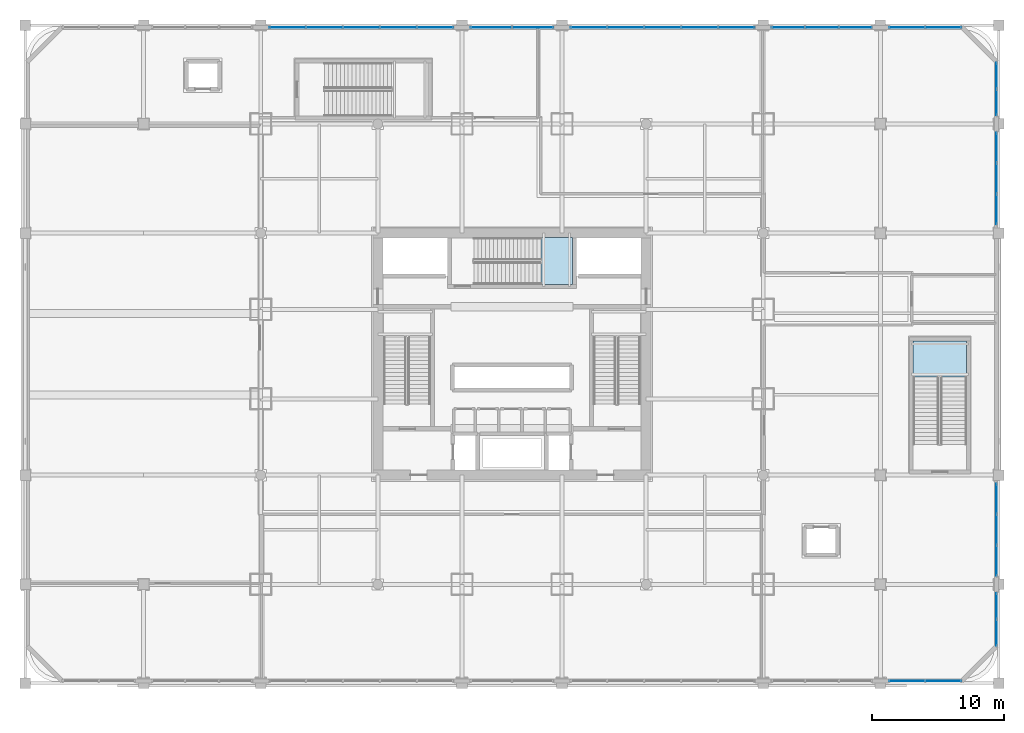
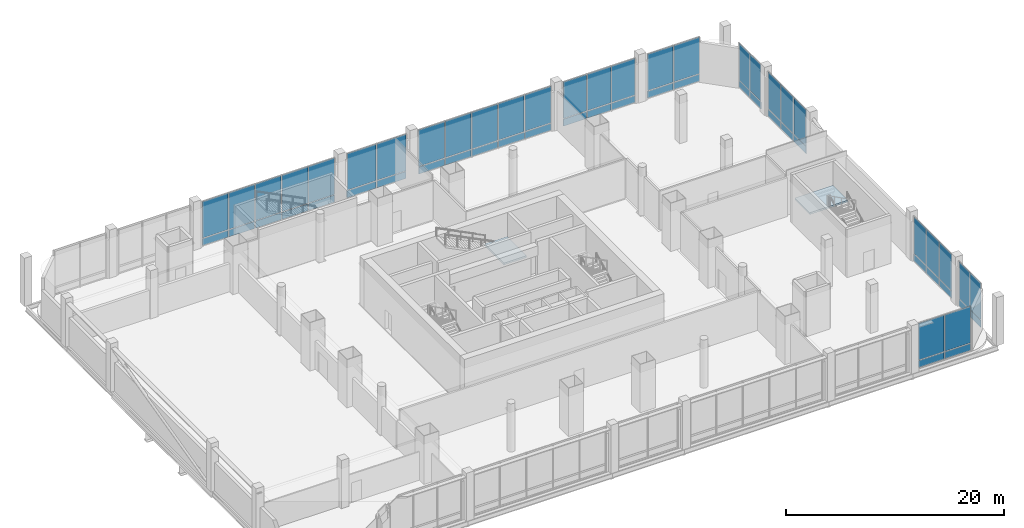
# One storey, part 20 of 35: 58 plates, 2 slabs, 12 elements without a shape of their own.
"""IFC4 building model written with IfcOpenShell, lengths in metres."""

import ifcopenshell
import ifcopenshell.guid

model = None  # the IFC model being written
_history = None  # IfcOwnerHistory: only IFC2X3 demands one
_inside = {}  # id of a spatial element -> (the spatial element, [elements in it])
_under = {}  # id of a project, library or spatial element -> (it, [spatial elements below it])
_declared = {}  # id of a project -> (the project, [libraries it declares])
_typed = {}  # id of a type object -> (the type object, [elements of that type])
_made_of = {}  # id of a material, layer set ... -> (it, [elements and type objects made of it])


def new_model(schema):
    """Start an empty IFC model of exactly this schema.

    Asked for "IFC4X3", IfcOpenShell would pick the latest addendum, in which some entities
    have other attributes; the version numbers below select the first issue.
    IFC2X3 requires an IfcOwnerHistory on every rooted entity: one is made here for all.
    """
    global model, _history
    if schema == "IFC4X3":
        model = ifcopenshell.file(schema_version=(4, 3, 0, 0))
    else:
        model = ifcopenshell.file(schema=schema)
    _inside.clear()
    _under.clear()
    _declared.clear()
    _typed.clear()
    _made_of.clear()
    _history = None
    if model.schema == "IFC2X3":
        org = make("IfcOrganization", Name="unknown")
        user = make(
            "IfcPersonAndOrganization",
            ThePerson=make("IfcPerson", FamilyName="unknown"),
            TheOrganization=org,
        )
        app = make(
            "IfcApplication",
            ApplicationDeveloper=org,
            Version="unknown",
            ApplicationFullName="unknown",
            ApplicationIdentifier="unknown",
        )
        _history = make(
            "IfcOwnerHistory",
            OwningUser=user,
            OwningApplication=app,
            ChangeAction="ADDED",
            CreationDate=0,
        )
    return model


def make(cls, **values):
    """One entity of the class cls with the attributes given. An attribute that is None is left unset."""
    return model.create_entity(
        cls, **{name: value for name, value in values.items() if value is not None}
    )


def rooted(cls, **values):
    """An entity with a GlobalId (a new one), such as an element, a storey or a relation."""
    return make(cls, GlobalId=ifcopenshell.guid.new(), OwnerHistory=_history, **values)


def si_unit(unit_type, name, prefix=None):
    """IfcSIUnit, for example si_unit("LENGTHUNIT", "METRE", prefix="MILLI")."""
    return make("IfcSIUnit", UnitType=unit_type, Prefix=prefix, Name=name)


def assignment(units):
    """IfcUnitAssignment: the units of a project."""
    return None if units is None else make("IfcUnitAssignment", Units=units)


def point(xyz):
    """IfcCartesianPoint."""
    return None if xyz is None else make("IfcCartesianPoint", Coordinates=xyz)


def direction(xyz):
    """IfcDirection."""
    return None if xyz is None else make("IfcDirection", DirectionRatios=xyz)


def frame(location, z_axis=None, x_axis=None):
    """IfcAxis2Placement3D, a coordinate frame: its origin and axes. An axis left out is left unset."""
    return make(
        "IfcAxis2Placement3D",
        Location=point(location),
        Axis=direction(z_axis),
        RefDirection=direction(x_axis),
    )


def frame_2d(location, x_axis=None):
    """IfcAxis2Placement2D, a coordinate frame in the plane: its origin and x axis."""
    return make(
        "IfcAxis2Placement2D", Location=point(location), RefDirection=direction(x_axis)
    )


def origin():
    """The frame at (0, 0, 0) with its axes left unset."""
    return frame((0.0, 0.0, 0.0))


def origin_2d():
    """The frame at (0, 0) in the plane with its x axis left unset."""
    return frame_2d((0.0, 0.0))


def place(relative_to, where):
    """IfcLocalPlacement: puts the frame where relative to a parent placement (None: the world)."""
    return make(
        "IfcLocalPlacement", PlacementRelTo=relative_to, RelativePlacement=where
    )


def context(
    kind, dimensions, precision=None, world=None, true_north=None, identifier=None
):
    """IfcGeometricRepresentationContext, for example the 3D "Model" context."""
    return make(
        "IfcGeometricRepresentationContext",
        ContextIdentifier=identifier,
        ContextType=kind,
        CoordinateSpaceDimension=dimensions,
        Precision=precision,
        WorldCoordinateSystem=world,
        TrueNorth=true_north,
    )


def subcontext(parent, identifier, kind, view, scale=None):
    """IfcGeometricRepresentationSubContext, for example "Body" below "Model"."""
    return make(
        "IfcGeometricRepresentationSubContext",
        ContextIdentifier=identifier,
        ContextType=kind,
        ParentContext=parent,
        TargetScale=scale,
        TargetView=view,
    )


def project(units=None, contexts=None):
    """IfcProject with its units and contexts."""
    return rooted(
        "IfcProject",
        Name="project",
        RepresentationContexts=contexts,
        UnitsInContext=assignment(units),
    )


def spatial(cls, under=None, at=None, **own):
    """A site, building, storey or space (cls), placed at a placement, below another one or the project."""
    s = rooted(cls, ObjectPlacement=at, **own)
    if under is not None:
        _under.setdefault(under.id(), (under, []))[1].append(s)
    return s


def polyline(points):
    """IfcPolyline through the points."""
    return make("IfcPolyline", Points=[point(p) for p in points])


def profile(cls, at=None, kind="AREA", **sizes):
    """A parametric profile (cls). Its sizes go by their IFC names, for example OverallWidth=200.0."""
    return make(cls, ProfileType=kind, Position=at, **sizes)


def rectangle(**sizes):
    """IfcRectangleProfileDef."""
    return profile("IfcRectangleProfileDef", **sizes)


def outline(outer, holes=None, kind="AREA"):
    """IfcArbitraryClosedProfileDef: a profile drawn as a closed curve; with holes, ...WithVoids."""
    if holes is None:
        return make("IfcArbitraryClosedProfileDef", ProfileType=kind, OuterCurve=outer)
    return make(
        "IfcArbitraryProfileDefWithVoids",
        ProfileType=kind,
        OuterCurve=outer,
        InnerCurves=holes,
    )


def extrude(swept, where, along, depth):
    """IfcExtrudedAreaSolid: the profile swept, set in the frame where, extruded along a direction by depth."""
    return make(
        "IfcExtrudedAreaSolid",
        SweptArea=swept,
        Position=where,
        ExtrudedDirection=direction(along),
        Depth=depth,
    )


def shape(context_of_items, identifier, shape_type, items):
    """IfcShapeRepresentation: the items that make up one representation, for example the "Body"."""
    return make(
        "IfcShapeRepresentation",
        ContextOfItems=context_of_items,
        RepresentationIdentifier=identifier,
        RepresentationType=shape_type,
        Items=items,
    )


def material(Name=None, Category=None):
    """IfcMaterial."""
    return make("IfcMaterial", Name=Name, Category=Category)


def layer(
    of_material, thickness, ventilated=None, Name=None, Category=None, Priority=None
):
    """IfcMaterialLayer: one layer of a wall or slab, of a material (None: an air gap)."""
    return make(
        "IfcMaterialLayer",
        Material=of_material,
        LayerThickness=thickness,
        IsVentilated=ventilated,
        Name=Name,
        Category=Category,
        Priority=Priority,
    )


def layer_set(layers, Name=None):
    """IfcMaterialLayerSet."""
    return make("IfcMaterialLayerSet", MaterialLayers=layers, LayerSetName=Name)


def made_of(thing, what):
    """Note that an element or type object is made of a material, layer set ...; save() writes the relation."""
    if what is not None:
        _made_of.setdefault(what.id(), (what, []))[1].append(thing)
    return thing


def type_object(cls, material=None, **own):
    """A type object (cls), such as IfcWallType, which elements share."""
    return made_of(rooted(cls, **own), material)


def element(
    cls,
    number,
    at=None,
    inside=None,
    cuts=None,
    type_object=None,
    material=None,
    context=None,
    identifier="Body",
    shape_type=None,
    held_by="IfcProductDefinitionShape",
    body=None,
    shapes=None,
    **own,
):
    """One element of the class cls, such as IfcWall. Its Tag is "e" and its number.

    at: its placement. inside: the storey or other place that contains it. cuts: it is an
    opening in that element (IfcRelVoidsElement). A single representation is given by context,
    identifier, shape_type and body (its items); several are given by shapes. held_by: the class
    of the entity that holds the representations. save() writes the other relations.
    """
    e = rooted(cls, Tag="e%d" % number, ObjectPlacement=at, **own)
    if body is not None:
        shapes = [shape(context, identifier, shape_type, body)]
    if shapes is not None:
        e.Representation = make(held_by, Representations=shapes)
    if inside is not None:
        _inside.setdefault(inside.id(), (inside, []))[1].append(e)
    if cuts is not None:
        rooted(
            "IfcRelVoidsElement", RelatingBuildingElement=cuts, RelatedOpeningElement=e
        )
    if type_object is not None:
        _typed.setdefault(type_object.id(), (type_object, []))[1].append(e)
    return made_of(e, material)


def aggregate(whole, parts):
    """IfcRelAggregates: a whole, such as a stair, and the parts it consists of."""
    return rooted("IfcRelAggregates", RelatingObject=whole, RelatedObjects=parts)


def save(model, path):
    """Write the relations noted so far, then the file.

    IfcRelAggregates (storeys below a building ...), IfcRelContainedInSpatialStructure (elements
    in a storey), IfcRelDefinesByType, IfcRelAssociatesMaterial and IfcRelDeclares: one each for
    every whole, place, type object, material and project.
    """
    for whole, parts in _under.values():
        aggregate(whole, parts)
    for where, things in _inside.values():
        rooted(
            "IfcRelContainedInSpatialStructure",
            RelatedElements=things,
            RelatingStructure=where,
        )
    for kind, things in _typed.values():
        rooted("IfcRelDefinesByType", RelatedObjects=things, RelatingType=kind)
    for what, things in _made_of.values():
        rooted("IfcRelAssociatesMaterial", RelatedObjects=things, RelatingMaterial=what)
    for by, libraries in _declared.values():
        rooted("IfcRelDeclares", RelatingContext=by, RelatedDefinitions=libraries)
    model.write(path)


model = new_model("IFC4")

# Units and contexts
model_context = context("Model", 3, precision=1e-05, world=origin(), true_north=direction((0.0, 1.0)))
body_context = subcontext(model_context, "Body", "Model", "MODEL_VIEW")
ifc_project = project(units=[si_unit("LENGTHUNIT", "METRE"), si_unit("AREAUNIT", "SQUARE_METRE"), si_unit("VOLUMEUNIT", "CUBIC_METRE"), si_unit("PLANEANGLEUNIT", "RADIAN"), si_unit("MASSUNIT", "GRAM", prefix="KILO")], contexts=[model_context])

# Site, building, storey
site_placement = place(None, origin())
site = spatial("IfcSite", under=ifc_project, at=site_placement, CompositionType="ELEMENT")
building_placement = place(site_placement, origin())
building = spatial("IfcBuilding", under=site, at=building_placement, Name="Punatoya Terracotta Tower", CompositionType="ELEMENT")
storey_placement = place(building_placement, frame((0.0, 0.0, 16.800048828125)))
storey = spatial("IfcBuildingStorey", under=building, at=storey_placement, Name="L03", CompositionType="ELEMENT", Elevation=16.800048828125)

# Curtain wall, plates
ifc_material_1 = material(Name="Aluminium 6063-T6 + Double Low-E Glass", Category="aluminium")
curtain_wall_type = type_object("IfcCurtainWallType", Name="CW-POD", PredefinedType="NOTDEFINED", material=ifc_material_1)
curtain_wall_1_placement = place(storey_placement, origin())
curtain_wall_1 = element("IfcCurtainWall", 1, at=curtain_wall_1_placement, inside=storey, type_object=curtain_wall_type, Name="L03 Curtain Wall CWP-L03-N3", PredefinedType="NOTDEFINED")
ifc_material_2 = material(Name="Double Low-E Clear Vision Glass", Category="glass")
ifc_layer_1 = layer(ifc_material_2, 0.028076171875)
ifc_layer_set_1 = layer_set([ifc_layer_1], Name="Double Low-E Clear Vision Glass")
plate_type_1 = type_object("IfcPlateType", Name="PLT-GLZ-28", PredefinedType="CURTAIN_PANEL", material=ifc_layer_set_1)
plate_1_placement = place(storey_placement, frame((-5.825927734375, 24.840087890625, 0.89013671875), z_axis=(0.0, 0.0, 1.0), x_axis=(-1.0, 0.0, 0.0)))
plate_1 = element("IfcPlate", 2, at=plate_1_placement, type_object=plate_type_1, Name="CWP-L03-N3 Vision Glass Panel 1", PredefinedType="CURTAIN_PANEL", context=body_context, shape_type="SweptSolid", body=[
    extrude(rectangle(XDim=2.72705078125, YDim=0.028076171875, at=origin_2d()), origin(), (0.0, 0.0, 1.0), 4.090087890625),
])
plate_2_placement = place(storey_placement, frame((-8.637939453125, 24.840087890625, 0.89013671875), z_axis=(0.0, 0.0, 1.0), x_axis=(-1.0, 0.0, 0.0)))
plate_2 = element("IfcPlate", 3, at=plate_2_placement, type_object=plate_type_1, Name="CWP-L03-N3 Vision Glass Panel 2", PredefinedType="CURTAIN_PANEL", context=body_context, shape_type="SweptSolid", body=[
    extrude(rectangle(XDim=2.72705078125, YDim=0.028076171875, at=origin_2d()), origin(), (0.0, 0.0, 1.0), 4.090087890625),
])
plate_3_placement = place(storey_placement, frame((-11.449951171875, 24.840087890625, 0.89013671875), z_axis=(0.0, 0.0, 1.0), x_axis=(-1.0, 0.0, 0.0)))
plate_3 = element("IfcPlate", 4, at=plate_3_placement, type_object=plate_type_1, Name="CWP-L03-N3 Vision Glass Panel 3", PredefinedType="CURTAIN_PANEL", context=body_context, shape_type="SweptSolid", body=[
    extrude(rectangle(XDim=2.72705078125, YDim=0.028076171875, at=origin_2d()), origin(), (0.0, 0.0, 1.0), 4.090087890625),
])
plate_4_placement = place(storey_placement, frame((-14.261962890625, 24.840087890625, 0.89013671875), z_axis=(0.0, 0.0, 1.0), x_axis=(-1.0, 0.0, 0.0)))
plate_4 = element("IfcPlate", 5, at=plate_4_placement, type_object=plate_type_1, Name="CWP-L03-N3 Vision Glass Panel 4", PredefinedType="CURTAIN_PANEL", context=body_context, shape_type="SweptSolid", body=[
    extrude(rectangle(XDim=2.72705078125, YDim=0.028076171875, at=origin_2d()), origin(), (0.0, 0.0, 1.0), 4.090087890625),
])
plate_5_placement = place(storey_placement, frame((-17.073974609375, 24.840087890625, 0.89013671875), z_axis=(0.0, 0.0, 1.0), x_axis=(-1.0, 0.0, 0.0)))
plate_5 = element("IfcPlate", 6, at=plate_5_placement, type_object=plate_type_1, Name="CWP-L03-N3 Vision Glass Panel 5", PredefinedType="CURTAIN_PANEL", context=body_context, shape_type="SweptSolid", body=[
    extrude(rectangle(XDim=2.72705078125, YDim=0.028076171875, at=origin_2d()), origin(), (0.0, 0.0, 1.0), 4.090087890625),
])

curtain_wall_2_placement = place(storey_placement, origin())
curtain_wall_2 = element("IfcCurtainWall", 7, at=curtain_wall_2_placement, inside=storey, type_object=curtain_wall_type, Name="L03 Curtain Wall CWP-L03-N4", PredefinedType="NOTDEFINED")
plate_6_placement = place(storey_placement, frame((1.590087890625, 24.840087890625, 0.89013671875), z_axis=(0.0, 0.0, 1.0), x_axis=(-1.0, 0.0, 0.0)))
plate_6 = element("IfcPlate", 8, at=plate_6_placement, type_object=plate_type_1, Name="CWP-L03-N4 Vision Glass Panel 1", PredefinedType="CURTAIN_PANEL", context=body_context, shape_type="SweptSolid", body=[
    extrude(rectangle(XDim=3.094970703125, YDim=0.028076171875, at=origin_2d()), origin(), (0.0, 0.0, 1.0), 4.090087890625),
])
plate_7_placement = place(storey_placement, frame((-1.590087890625, 24.840087890625, 0.89013671875), z_axis=(0.0, 0.0, 1.0), x_axis=(-1.0, 0.0, 0.0)))
plate_7 = element("IfcPlate", 9, at=plate_7_placement, type_object=plate_type_1, Name="CWP-L03-N4 Vision Glass Panel 2", PredefinedType="CURTAIN_PANEL", context=body_context, shape_type="SweptSolid", body=[
    extrude(rectangle(XDim=3.094970703125, YDim=0.028076171875, at=origin_2d()), origin(), (0.0, 0.0, 1.0), 4.090087890625),
])

curtain_wall_3_placement = place(storey_placement, origin())
curtain_wall_3 = element("IfcCurtainWall", 10, at=curtain_wall_3_placement, inside=storey, type_object=curtain_wall_type, Name="L03 Curtain Wall CWP-L03-N5", PredefinedType="NOTDEFINED")
plate_8_placement = place(storey_placement, frame((17.073974609375, 24.840087890625, 0.89013671875), z_axis=(0.0, 0.0, 1.0), x_axis=(-1.0, 0.0, 0.0)))
plate_8 = element("IfcPlate", 11, at=plate_8_placement, type_object=plate_type_1, Name="CWP-L03-N5 Vision Glass Panel 1", PredefinedType="CURTAIN_PANEL", context=body_context, shape_type="SweptSolid", body=[
    extrude(rectangle(XDim=2.72705078125, YDim=0.028076171875, at=origin_2d()), origin(), (0.0, 0.0, 1.0), 4.090087890625),
])
plate_9_placement = place(storey_placement, frame((14.261962890625, 24.840087890625, 0.89013671875), z_axis=(0.0, 0.0, 1.0), x_axis=(-1.0, 0.0, 0.0)))
plate_9 = element("IfcPlate", 12, at=plate_9_placement, type_object=plate_type_1, Name="CWP-L03-N5 Vision Glass Panel 2", PredefinedType="CURTAIN_PANEL", context=body_context, shape_type="SweptSolid", body=[
    extrude(rectangle(XDim=2.72705078125, YDim=0.028076171875, at=origin_2d()), origin(), (0.0, 0.0, 1.0), 4.090087890625),
])
plate_10_placement = place(storey_placement, frame((11.449951171875, 24.840087890625, 0.89013671875), z_axis=(0.0, 0.0, 1.0), x_axis=(-1.0, 0.0, 0.0)))
plate_10 = element("IfcPlate", 13, at=plate_10_placement, type_object=plate_type_1, Name="CWP-L03-N5 Vision Glass Panel 3", PredefinedType="CURTAIN_PANEL", context=body_context, shape_type="SweptSolid", body=[
    extrude(rectangle(XDim=2.72705078125, YDim=0.028076171875, at=origin_2d()), origin(), (0.0, 0.0, 1.0), 4.090087890625),
])
plate_11_placement = place(storey_placement, frame((8.637939453125, 24.840087890625, 0.89013671875), z_axis=(0.0, 0.0, 1.0), x_axis=(-1.0, 0.0, 0.0)))
plate_11 = element("IfcPlate", 14, at=plate_11_placement, type_object=plate_type_1, Name="CWP-L03-N5 Vision Glass Panel 4", PredefinedType="CURTAIN_PANEL", context=body_context, shape_type="SweptSolid", body=[
    extrude(rectangle(XDim=2.72705078125, YDim=0.028076171875, at=origin_2d()), origin(), (0.0, 0.0, 1.0), 4.090087890625),
])
plate_12_placement = place(storey_placement, frame((5.825927734375, 24.840087890625, 0.89013671875), z_axis=(0.0, 0.0, 1.0), x_axis=(-1.0, 0.0, 0.0)))
plate_12 = element("IfcPlate", 15, at=plate_12_placement, type_object=plate_type_1, Name="CWP-L03-N5 Vision Glass Panel 5", PredefinedType="CURTAIN_PANEL", context=body_context, shape_type="SweptSolid", body=[
    extrude(rectangle(XDim=2.72705078125, YDim=0.028076171875, at=origin_2d()), origin(), (0.0, 0.0, 1.0), 4.090087890625),
])

curtain_wall_4_placement = place(storey_placement, origin())
curtain_wall_4 = element("IfcCurtainWall", 16, at=curtain_wall_4_placement, inside=storey, type_object=curtain_wall_type, Name="L03 Curtain Wall CWP-L03-N6", PredefinedType="NOTDEFINED")
plate_13_placement = place(storey_placement, frame((26.103271484375, 24.840087890625, 0.89013671875), z_axis=(0.0, 0.0, 1.0), x_axis=(-1.0, 0.0, 0.0)))
plate_13 = element("IfcPlate", 17, at=plate_13_placement, type_object=plate_type_1, Name="CWP-L03-N6 Vision Glass Panel 1", PredefinedType="CURTAIN_PANEL", context=body_context, shape_type="SweptSolid", body=[
    extrude(rectangle(XDim=2.46826171875, YDim=0.028076171875, at=origin_2d()), origin(), (0.0, 0.0, 1.0), 4.090087890625),
])
plate_14_placement = place(storey_placement, frame((23.550048828125, 24.840087890625, 0.89013671875), z_axis=(0.0, 0.0, 1.0), x_axis=(-1.0, 0.0, 0.0)))
plate_14 = element("IfcPlate", 18, at=plate_14_placement, type_object=plate_type_1, Name="CWP-L03-N6 Vision Glass Panel 2", PredefinedType="CURTAIN_PANEL", context=body_context, shape_type="SweptSolid", body=[
    extrude(rectangle(XDim=2.46826171875, YDim=0.028076171875, at=origin_2d()), origin(), (0.0, 0.0, 1.0), 4.090087890625),
])
plate_15_placement = place(storey_placement, frame((20.99658203125, 24.840087890625, 0.89013671875), z_axis=(0.0, 0.0, 1.0), x_axis=(-1.0, 0.0, 0.0)))
plate_15 = element("IfcPlate", 19, at=plate_15_placement, type_object=plate_type_1, Name="CWP-L03-N6 Vision Glass Panel 3", PredefinedType="CURTAIN_PANEL", context=body_context, shape_type="SweptSolid", body=[
    extrude(rectangle(XDim=2.46826171875, YDim=0.028076171875, at=origin_2d()), origin(), (0.0, 0.0, 1.0), 4.090087890625),
])

curtain_wall_5_placement = place(storey_placement, origin())
curtain_wall_5 = element("IfcCurtainWall", 20, at=curtain_wall_5_placement, inside=storey, type_object=curtain_wall_type, Name="L03 Curtain Wall CWP-L03-S7", PredefinedType="NOTDEFINED")
plate_16_placement = place(storey_placement, frame((30.014892578125, -24.840087890625, 0.89013671875), z_axis=(0.0, 0.0, 1.0), x_axis=(1.0, 0.0, 0.0)))
plate_16 = element("IfcPlate", 21, at=plate_16_placement, type_object=plate_type_1, Name="CWP-L03-S7 Vision Glass Panel 1", PredefinedType="CURTAIN_PANEL", context=body_context, shape_type="SweptSolid", body=[
    extrude(rectangle(XDim=2.705078125, YDim=0.028076171875, at=origin_2d()), origin(), (0.0, 0.0, 1.0), 4.090087890625),
])
plate_17_placement = place(storey_placement, frame((32.804931640625, -24.840087890625, 0.89013671875), z_axis=(0.0, 0.0, 1.0), x_axis=(1.0, 0.0, 0.0)))
plate_17 = element("IfcPlate", 22, at=plate_17_placement, type_object=plate_type_1, Name="CWP-L03-S7 Vision Glass Panel 2", PredefinedType="CURTAIN_PANEL", context=body_context, shape_type="SweptSolid", body=[
    extrude(rectangle(XDim=2.705078125, YDim=0.028076171875, at=origin_2d()), origin(), (0.0, 0.0, 1.0), 4.090087890625),
])

curtain_wall_6_placement = place(storey_placement, origin())
curtain_wall_6 = element("IfcCurtainWall", 23, at=curtain_wall_6_placement, inside=storey, type_object=curtain_wall_type, Name="L03 Curtain Wall CWP-L03-N7", PredefinedType="NOTDEFINED")
plate_18_placement = place(storey_placement, frame((32.804931640625, 24.840087890625, 0.89013671875), z_axis=(0.0, 0.0, 1.0), x_axis=(-1.0, 0.0, 0.0)))
plate_18 = element("IfcPlate", 24, at=plate_18_placement, type_object=plate_type_1, Name="CWP-L03-N7 Vision Glass Panel 1", PredefinedType="CURTAIN_PANEL", context=body_context, shape_type="SweptSolid", body=[
    extrude(rectangle(XDim=2.705078125, YDim=0.028076171875, at=origin_2d()), origin(), (0.0, 0.0, 1.0), 4.090087890625),
])
plate_19_placement = place(storey_placement, frame((30.014892578125, 24.840087890625, 0.89013671875), z_axis=(0.0, 0.0, 1.0), x_axis=(-1.0, 0.0, 0.0)))
plate_19 = element("IfcPlate", 25, at=plate_19_placement, type_object=plate_type_1, Name="CWP-L03-N7 Vision Glass Panel 2", PredefinedType="CURTAIN_PANEL", context=body_context, shape_type="SweptSolid", body=[
    extrude(rectangle(XDim=2.705078125, YDim=0.028076171875, at=origin_2d()), origin(), (0.0, 0.0, 1.0), 4.090087890625),
])

curtain_wall_7_placement = place(storey_placement, origin())
curtain_wall_7 = element("IfcCurtainWall", 26, at=curtain_wall_7_placement, inside=storey, type_object=curtain_wall_type, Name="L03 Curtain Wall CWP-L03-E1", PredefinedType="NOTDEFINED")
plate_20_placement = place(storey_placement, frame((36.840087890625, -19.139892578125, 0.89013671875), z_axis=(0.0, 0.0, 1.0), x_axis=(0.0, -1.0, 0.0)))
plate_20 = element("IfcPlate", 27, at=plate_20_placement, type_object=plate_type_1, Name="CWP-L03-E1 Vision Glass Panel 1", PredefinedType="CURTAIN_PANEL", context=body_context, shape_type="SweptSolid", body=[
    extrude(rectangle(XDim=1.955078125, YDim=0.028076171875, at=origin_2d()), origin(), (0.0, 0.0, 1.0), 4.090087890625),
])
plate_21_placement = place(storey_placement, frame((36.840087890625, -21.179931640625, 0.89013671875), z_axis=(0.0, 0.0, 1.0), x_axis=(0.0, -1.0, 0.0)))
plate_21 = element("IfcPlate", 28, at=plate_21_placement, type_object=plate_type_1, Name="CWP-L03-E1 Vision Glass Panel 2", PredefinedType="CURTAIN_PANEL", context=body_context, shape_type="SweptSolid", body=[
    extrude(rectangle(XDim=1.955078125, YDim=0.028076171875, at=origin_2d()), origin(), (0.0, 0.0, 1.0), 4.090087890625),
])

curtain_wall_8_placement = place(storey_placement, origin())
curtain_wall_8 = element("IfcCurtainWall", 29, at=curtain_wall_8_placement, inside=storey, type_object=curtain_wall_type, Name="L03 Curtain Wall CWP-L03-E2", PredefinedType="NOTDEFINED")
plate_22_placement = place(storey_placement, frame((36.840087890625, -10.99658203125, 0.89013671875), z_axis=(0.0, 0.0, 1.0), x_axis=(0.0, -1.0, 0.0)))
plate_22 = element("IfcPlate", 30, at=plate_22_placement, type_object=plate_type_1, Name="CWP-L03-E2 Vision Glass Panel 1", PredefinedType="CURTAIN_PANEL", context=body_context, shape_type="SweptSolid", body=[
    extrude(rectangle(XDim=2.268310546875, YDim=0.028076171875, at=origin_2d()), origin(), (0.0, 0.0, 1.0), 4.090087890625),
])
plate_23_placement = place(storey_placement, frame((36.840087890625, -13.35009765625, 0.89013671875), z_axis=(0.0, 0.0, 1.0), x_axis=(0.0, -1.0, 0.0)))
plate_23 = element("IfcPlate", 31, at=plate_23_placement, type_object=plate_type_1, Name="CWP-L03-E2 Vision Glass Panel 2", PredefinedType="CURTAIN_PANEL", context=body_context, shape_type="SweptSolid", body=[
    extrude(rectangle(XDim=2.268310546875, YDim=0.028076171875, at=origin_2d()), origin(), (0.0, 0.0, 1.0), 4.090087890625),
])
plate_24_placement = place(storey_placement, frame((36.840087890625, -15.703369140625, 0.89013671875), z_axis=(0.0, 0.0, 1.0), x_axis=(0.0, -1.0, 0.0)))
plate_24 = element("IfcPlate", 32, at=plate_24_placement, type_object=plate_type_1, Name="CWP-L03-E2 Vision Glass Panel 3", PredefinedType="CURTAIN_PANEL", context=body_context, shape_type="SweptSolid", body=[
    extrude(rectangle(XDim=2.268310546875, YDim=0.028076171875, at=origin_2d()), origin(), (0.0, 0.0, 1.0), 4.090087890625),
])

curtain_wall_9_placement = place(storey_placement, origin())
curtain_wall_9 = element("IfcCurtainWall", 33, at=curtain_wall_9_placement, inside=storey, type_object=curtain_wall_type, Name="L03 Curtain Wall CWP-L03-E3", PredefinedType="NOTDEFINED")
plate_25_placement = place(storey_placement, frame((36.840087890625, 15.703369140625, 0.89013671875), z_axis=(0.0, 0.0, 1.0), x_axis=(0.0, -1.0, 0.0)))
plate_25 = element("IfcPlate", 34, at=plate_25_placement, type_object=plate_type_1, Name="CWP-L03-E3 Vision Glass Panel 1", PredefinedType="CURTAIN_PANEL", context=body_context, shape_type="SweptSolid", body=[
    extrude(rectangle(XDim=2.268310546875, YDim=0.028076171875, at=origin_2d()), origin(), (0.0, 0.0, 1.0), 4.090087890625),
])
plate_26_placement = place(storey_placement, frame((36.840087890625, 13.35009765625, 0.89013671875), z_axis=(0.0, 0.0, 1.0), x_axis=(0.0, -1.0, 0.0)))
plate_26 = element("IfcPlate", 35, at=plate_26_placement, type_object=plate_type_1, Name="CWP-L03-E3 Vision Glass Panel 2", PredefinedType="CURTAIN_PANEL", context=body_context, shape_type="SweptSolid", body=[
    extrude(rectangle(XDim=2.268310546875, YDim=0.028076171875, at=origin_2d()), origin(), (0.0, 0.0, 1.0), 4.090087890625),
])
plate_27_placement = place(storey_placement, frame((36.840087890625, 10.99658203125, 0.89013671875), z_axis=(0.0, 0.0, 1.0), x_axis=(0.0, -1.0, 0.0)))
plate_27 = element("IfcPlate", 36, at=plate_27_placement, type_object=plate_type_1, Name="CWP-L03-E3 Vision Glass Panel 3", PredefinedType="CURTAIN_PANEL", context=body_context, shape_type="SweptSolid", body=[
    extrude(rectangle(XDim=2.268310546875, YDim=0.028076171875, at=origin_2d()), origin(), (0.0, 0.0, 1.0), 4.090087890625),
])

curtain_wall_10_placement = place(storey_placement, origin())
curtain_wall_10 = element("IfcCurtainWall", 37, at=curtain_wall_10_placement, inside=storey, type_object=curtain_wall_type, Name="L03 Curtain Wall CWP-L03-E4", PredefinedType="NOTDEFINED")
plate_28_placement = place(storey_placement, frame((36.840087890625, 21.179931640625, 0.89013671875), z_axis=(0.0, 0.0, 1.0), x_axis=(0.0, -1.0, 0.0)))
plate_28 = element("IfcPlate", 38, at=plate_28_placement, type_object=plate_type_1, Name="CWP-L03-E4 Vision Glass Panel 1", PredefinedType="CURTAIN_PANEL", context=body_context, shape_type="SweptSolid", body=[
    extrude(rectangle(XDim=1.955078125, YDim=0.028076171875, at=origin_2d()), origin(), (0.0, 0.0, 1.0), 4.090087890625),
])
plate_29_placement = place(storey_placement, frame((36.840087890625, 19.139892578125, 0.89013671875), z_axis=(0.0, 0.0, 1.0), x_axis=(0.0, -1.0, 0.0)))
plate_29 = element("IfcPlate", 39, at=plate_29_placement, type_object=plate_type_1, Name="CWP-L03-E4 Vision Glass Panel 2", PredefinedType="CURTAIN_PANEL", context=body_context, shape_type="SweptSolid", body=[
    extrude(rectangle(XDim=1.955078125, YDim=0.028076171875, at=origin_2d()), origin(), (0.0, 0.0, 1.0), 4.090087890625),
])

# Plate
ifc_material_3 = material(Name="Insulated Terracotta-Backed Spandrel Panel", Category="masonry")
ifc_layer_2 = layer(ifc_material_3, 0.044921875)
ifc_layer_set_2 = layer_set([ifc_layer_2], Name="Insulated Terracotta-Backed Spandrel Panel")
plate_type_2 = type_object("IfcPlateType", Name="PLT-SPN-45", PredefinedType="CURTAIN_PANEL", material=ifc_layer_set_2)
plate_30_placement = place(storey_placement, frame((-5.825927734375, 24.840087890625, 0.0400390625), z_axis=(0.0, 0.0, 1.0), x_axis=(-1.0, 0.0, 0.0)))
plate_30 = element("IfcPlate", 40, at=plate_30_placement, type_object=plate_type_2, Name="CWP-L03-N3 Terracotta Spandrel Panel 1", PredefinedType="CURTAIN_PANEL", context=body_context, shape_type="SweptSolid", body=[
    extrude(rectangle(XDim=2.72705078125, YDim=0.044921875, at=origin_2d()), origin(), (0.0, 0.0, 1.0), 0.77490234375),
])

plate_31_placement = place(storey_placement, frame((-8.637939453125, 24.840087890625, 0.0400390625), z_axis=(0.0, 0.0, 1.0), x_axis=(-1.0, 0.0, 0.0)))
plate_31 = element("IfcPlate", 41, at=plate_31_placement, type_object=plate_type_2, Name="CWP-L03-N3 Terracotta Spandrel Panel 2", PredefinedType="CURTAIN_PANEL", context=body_context, shape_type="SweptSolid", body=[
    extrude(rectangle(XDim=2.72705078125, YDim=0.044921875, at=origin_2d()), origin(), (0.0, 0.0, 1.0), 0.77490234375),
])

plate_32_placement = place(storey_placement, frame((-11.449951171875, 24.840087890625, 0.0400390625), z_axis=(0.0, 0.0, 1.0), x_axis=(-1.0, 0.0, 0.0)))
plate_32 = element("IfcPlate", 42, at=plate_32_placement, type_object=plate_type_2, Name="CWP-L03-N3 Terracotta Spandrel Panel 3", PredefinedType="CURTAIN_PANEL", context=body_context, shape_type="SweptSolid", body=[
    extrude(rectangle(XDim=2.72705078125, YDim=0.044921875, at=origin_2d()), origin(), (0.0, 0.0, 1.0), 0.77490234375),
])

plate_33_placement = place(storey_placement, frame((-14.261962890625, 24.840087890625, 0.0400390625), z_axis=(0.0, 0.0, 1.0), x_axis=(-1.0, 0.0, 0.0)))
plate_33 = element("IfcPlate", 43, at=plate_33_placement, type_object=plate_type_2, Name="CWP-L03-N3 Terracotta Spandrel Panel 4", PredefinedType="CURTAIN_PANEL", context=body_context, shape_type="SweptSolid", body=[
    extrude(rectangle(XDim=2.72705078125, YDim=0.044921875, at=origin_2d()), origin(), (0.0, 0.0, 1.0), 0.77490234375),
])

plate_34_placement = place(storey_placement, frame((-17.073974609375, 24.840087890625, 0.0400390625), z_axis=(0.0, 0.0, 1.0), x_axis=(-1.0, 0.0, 0.0)))
plate_34 = element("IfcPlate", 44, at=plate_34_placement, type_object=plate_type_2, Name="CWP-L03-N3 Terracotta Spandrel Panel 5", PredefinedType="CURTAIN_PANEL", context=body_context, shape_type="SweptSolid", body=[
    extrude(rectangle(XDim=2.72705078125, YDim=0.044921875, at=origin_2d()), origin(), (0.0, 0.0, 1.0), 0.77490234375),
])

aggregate(curtain_wall_1, [plate_30, plate_1, plate_31, plate_2, plate_32, plate_3, plate_33, plate_4, plate_34, plate_5])

plate_35_placement = place(storey_placement, frame((1.590087890625, 24.840087890625, 0.0400390625), z_axis=(0.0, 0.0, 1.0), x_axis=(-1.0, 0.0, 0.0)))
plate_35 = element("IfcPlate", 45, at=plate_35_placement, type_object=plate_type_2, Name="CWP-L03-N4 Terracotta Spandrel Panel 1", PredefinedType="CURTAIN_PANEL", context=body_context, shape_type="SweptSolid", body=[
    extrude(rectangle(XDim=3.094970703125, YDim=0.044921875, at=origin_2d()), origin(), (0.0, 0.0, 1.0), 0.77490234375),
])

plate_36_placement = place(storey_placement, frame((-1.590087890625, 24.840087890625, 0.0400390625), z_axis=(0.0, 0.0, 1.0), x_axis=(-1.0, 0.0, 0.0)))
plate_36 = element("IfcPlate", 46, at=plate_36_placement, type_object=plate_type_2, Name="CWP-L03-N4 Terracotta Spandrel Panel 2", PredefinedType="CURTAIN_PANEL", context=body_context, shape_type="SweptSolid", body=[
    extrude(rectangle(XDim=3.094970703125, YDim=0.044921875, at=origin_2d()), origin(), (0.0, 0.0, 1.0), 0.77490234375),
])

aggregate(curtain_wall_2, [plate_35, plate_6, plate_36, plate_7])

plate_37_placement = place(storey_placement, frame((17.073974609375, 24.840087890625, 0.0400390625), z_axis=(0.0, 0.0, 1.0), x_axis=(-1.0, 0.0, 0.0)))
plate_37 = element("IfcPlate", 47, at=plate_37_placement, type_object=plate_type_2, Name="CWP-L03-N5 Terracotta Spandrel Panel 1", PredefinedType="CURTAIN_PANEL", context=body_context, shape_type="SweptSolid", body=[
    extrude(rectangle(XDim=2.72705078125, YDim=0.044921875, at=origin_2d()), origin(), (0.0, 0.0, 1.0), 0.77490234375),
])

plate_38_placement = place(storey_placement, frame((14.261962890625, 24.840087890625, 0.0400390625), z_axis=(0.0, 0.0, 1.0), x_axis=(-1.0, 0.0, 0.0)))
plate_38 = element("IfcPlate", 48, at=plate_38_placement, type_object=plate_type_2, Name="CWP-L03-N5 Terracotta Spandrel Panel 2", PredefinedType="CURTAIN_PANEL", context=body_context, shape_type="SweptSolid", body=[
    extrude(rectangle(XDim=2.72705078125, YDim=0.044921875, at=origin_2d()), origin(), (0.0, 0.0, 1.0), 0.77490234375),
])

plate_39_placement = place(storey_placement, frame((11.449951171875, 24.840087890625, 0.0400390625), z_axis=(0.0, 0.0, 1.0), x_axis=(-1.0, 0.0, 0.0)))
plate_39 = element("IfcPlate", 49, at=plate_39_placement, type_object=plate_type_2, Name="CWP-L03-N5 Terracotta Spandrel Panel 3", PredefinedType="CURTAIN_PANEL", context=body_context, shape_type="SweptSolid", body=[
    extrude(rectangle(XDim=2.72705078125, YDim=0.044921875, at=origin_2d()), origin(), (0.0, 0.0, 1.0), 0.77490234375),
])

plate_40_placement = place(storey_placement, frame((8.637939453125, 24.840087890625, 0.0400390625), z_axis=(0.0, 0.0, 1.0), x_axis=(-1.0, 0.0, 0.0)))
plate_40 = element("IfcPlate", 50, at=plate_40_placement, type_object=plate_type_2, Name="CWP-L03-N5 Terracotta Spandrel Panel 4", PredefinedType="CURTAIN_PANEL", context=body_context, shape_type="SweptSolid", body=[
    extrude(rectangle(XDim=2.72705078125, YDim=0.044921875, at=origin_2d()), origin(), (0.0, 0.0, 1.0), 0.77490234375),
])

plate_41_placement = place(storey_placement, frame((5.825927734375, 24.840087890625, 0.0400390625), z_axis=(0.0, 0.0, 1.0), x_axis=(-1.0, 0.0, 0.0)))
plate_41 = element("IfcPlate", 51, at=plate_41_placement, type_object=plate_type_2, Name="CWP-L03-N5 Terracotta Spandrel Panel 5", PredefinedType="CURTAIN_PANEL", context=body_context, shape_type="SweptSolid", body=[
    extrude(rectangle(XDim=2.72705078125, YDim=0.044921875, at=origin_2d()), origin(), (0.0, 0.0, 1.0), 0.77490234375),
])

aggregate(curtain_wall_3, [plate_37, plate_8, plate_38, plate_9, plate_39, plate_10, plate_40, plate_11, plate_41, plate_12])

plate_42_placement = place(storey_placement, frame((26.103271484375, 24.840087890625, 0.0400390625), z_axis=(0.0, 0.0, 1.0), x_axis=(-1.0, 0.0, 0.0)))
plate_42 = element("IfcPlate", 52, at=plate_42_placement, type_object=plate_type_2, Name="CWP-L03-N6 Terracotta Spandrel Panel 1", PredefinedType="CURTAIN_PANEL", context=body_context, shape_type="SweptSolid", body=[
    extrude(rectangle(XDim=2.46826171875, YDim=0.044921875, at=origin_2d()), origin(), (0.0, 0.0, 1.0), 0.77490234375),
])

plate_43_placement = place(storey_placement, frame((23.550048828125, 24.840087890625, 0.0400390625), z_axis=(0.0, 0.0, 1.0), x_axis=(-1.0, 0.0, 0.0)))
plate_43 = element("IfcPlate", 53, at=plate_43_placement, type_object=plate_type_2, Name="CWP-L03-N6 Terracotta Spandrel Panel 2", PredefinedType="CURTAIN_PANEL", context=body_context, shape_type="SweptSolid", body=[
    extrude(rectangle(XDim=2.46826171875, YDim=0.044921875, at=origin_2d()), origin(), (0.0, 0.0, 1.0), 0.77490234375),
])

plate_44_placement = place(storey_placement, frame((20.99658203125, 24.840087890625, 0.0400390625), z_axis=(0.0, 0.0, 1.0), x_axis=(-1.0, 0.0, 0.0)))
plate_44 = element("IfcPlate", 54, at=plate_44_placement, type_object=plate_type_2, Name="CWP-L03-N6 Terracotta Spandrel Panel 3", PredefinedType="CURTAIN_PANEL", context=body_context, shape_type="SweptSolid", body=[
    extrude(rectangle(XDim=2.46826171875, YDim=0.044921875, at=origin_2d()), origin(), (0.0, 0.0, 1.0), 0.77490234375),
])

aggregate(curtain_wall_4, [plate_42, plate_13, plate_43, plate_14, plate_44, plate_15])

plate_45_placement = place(storey_placement, frame((30.014892578125, -24.840087890625, 0.0400390625), z_axis=(0.0, 0.0, 1.0), x_axis=(1.0, 0.0, 0.0)))
plate_45 = element("IfcPlate", 55, at=plate_45_placement, type_object=plate_type_2, Name="CWP-L03-S7 Terracotta Spandrel Panel 1", PredefinedType="CURTAIN_PANEL", context=body_context, shape_type="SweptSolid", body=[
    extrude(rectangle(XDim=2.705078125, YDim=0.044921875, at=origin_2d()), origin(), (0.0, 0.0, 1.0), 0.77490234375),
])

plate_46_placement = place(storey_placement, frame((32.804931640625, -24.840087890625, 0.0400390625), z_axis=(0.0, 0.0, 1.0), x_axis=(1.0, 0.0, 0.0)))
plate_46 = element("IfcPlate", 56, at=plate_46_placement, type_object=plate_type_2, Name="CWP-L03-S7 Terracotta Spandrel Panel 2", PredefinedType="CURTAIN_PANEL", context=body_context, shape_type="SweptSolid", body=[
    extrude(rectangle(XDim=2.705078125, YDim=0.044921875, at=origin_2d()), origin(), (0.0, 0.0, 1.0), 0.77490234375),
])

aggregate(curtain_wall_5, [plate_45, plate_16, plate_46, plate_17])

plate_47_placement = place(storey_placement, frame((32.804931640625, 24.840087890625, 0.0400390625), z_axis=(0.0, 0.0, 1.0), x_axis=(-1.0, 0.0, 0.0)))
plate_47 = element("IfcPlate", 57, at=plate_47_placement, type_object=plate_type_2, Name="CWP-L03-N7 Terracotta Spandrel Panel 1", PredefinedType="CURTAIN_PANEL", context=body_context, shape_type="SweptSolid", body=[
    extrude(rectangle(XDim=2.705078125, YDim=0.044921875, at=origin_2d()), origin(), (0.0, 0.0, 1.0), 0.77490234375),
])

plate_48_placement = place(storey_placement, frame((30.014892578125, 24.840087890625, 0.0400390625), z_axis=(0.0, 0.0, 1.0), x_axis=(-1.0, 0.0, 0.0)))
plate_48 = element("IfcPlate", 58, at=plate_48_placement, type_object=plate_type_2, Name="CWP-L03-N7 Terracotta Spandrel Panel 2", PredefinedType="CURTAIN_PANEL", context=body_context, shape_type="SweptSolid", body=[
    extrude(rectangle(XDim=2.705078125, YDim=0.044921875, at=origin_2d()), origin(), (0.0, 0.0, 1.0), 0.77490234375),
])

aggregate(curtain_wall_6, [plate_47, plate_18, plate_48, plate_19])

plate_49_placement = place(storey_placement, frame((36.840087890625, -19.139892578125, 0.0400390625), z_axis=(0.0, 0.0, 1.0), x_axis=(0.0, -1.0, 0.0)))
plate_49 = element("IfcPlate", 59, at=plate_49_placement, type_object=plate_type_2, Name="CWP-L03-E1 Terracotta Spandrel Panel 1", PredefinedType="CURTAIN_PANEL", context=body_context, shape_type="SweptSolid", body=[
    extrude(rectangle(XDim=1.955078125, YDim=0.044921875, at=origin_2d()), origin(), (0.0, 0.0, 1.0), 0.77490234375),
])

plate_50_placement = place(storey_placement, frame((36.840087890625, -21.179931640625, 0.0400390625), z_axis=(0.0, 0.0, 1.0), x_axis=(0.0, -1.0, 0.0)))
plate_50 = element("IfcPlate", 60, at=plate_50_placement, type_object=plate_type_2, Name="CWP-L03-E1 Terracotta Spandrel Panel 2", PredefinedType="CURTAIN_PANEL", context=body_context, shape_type="SweptSolid", body=[
    extrude(rectangle(XDim=1.955078125, YDim=0.044921875, at=origin_2d()), origin(), (0.0, 0.0, 1.0), 0.77490234375),
])

aggregate(curtain_wall_7, [plate_49, plate_20, plate_50, plate_21])

plate_51_placement = place(storey_placement, frame((36.840087890625, -10.99658203125, 0.0400390625), z_axis=(0.0, 0.0, 1.0), x_axis=(0.0, -1.0, 0.0)))
plate_51 = element("IfcPlate", 61, at=plate_51_placement, type_object=plate_type_2, Name="CWP-L03-E2 Terracotta Spandrel Panel 1", PredefinedType="CURTAIN_PANEL", context=body_context, shape_type="SweptSolid", body=[
    extrude(rectangle(XDim=2.268310546875, YDim=0.044921875, at=origin_2d()), origin(), (0.0, 0.0, 1.0), 0.77490234375),
])

plate_52_placement = place(storey_placement, frame((36.840087890625, -13.35009765625, 0.0400390625), z_axis=(0.0, 0.0, 1.0), x_axis=(0.0, -1.0, 0.0)))
plate_52 = element("IfcPlate", 62, at=plate_52_placement, type_object=plate_type_2, Name="CWP-L03-E2 Terracotta Spandrel Panel 2", PredefinedType="CURTAIN_PANEL", context=body_context, shape_type="SweptSolid", body=[
    extrude(rectangle(XDim=2.268310546875, YDim=0.044921875, at=origin_2d()), origin(), (0.0, 0.0, 1.0), 0.77490234375),
])

plate_53_placement = place(storey_placement, frame((36.840087890625, -15.703369140625, 0.0400390625), z_axis=(0.0, 0.0, 1.0), x_axis=(0.0, -1.0, 0.0)))
plate_53 = element("IfcPlate", 63, at=plate_53_placement, type_object=plate_type_2, Name="CWP-L03-E2 Terracotta Spandrel Panel 3", PredefinedType="CURTAIN_PANEL", context=body_context, shape_type="SweptSolid", body=[
    extrude(rectangle(XDim=2.268310546875, YDim=0.044921875, at=origin_2d()), origin(), (0.0, 0.0, 1.0), 0.77490234375),
])

aggregate(curtain_wall_8, [plate_51, plate_22, plate_52, plate_23, plate_53, plate_24])

plate_54_placement = place(storey_placement, frame((36.840087890625, 15.703369140625, 0.0400390625), z_axis=(0.0, 0.0, 1.0), x_axis=(0.0, -1.0, 0.0)))
plate_54 = element("IfcPlate", 64, at=plate_54_placement, type_object=plate_type_2, Name="CWP-L03-E3 Terracotta Spandrel Panel 1", PredefinedType="CURTAIN_PANEL", context=body_context, shape_type="SweptSolid", body=[
    extrude(rectangle(XDim=2.268310546875, YDim=0.044921875, at=origin_2d()), origin(), (0.0, 0.0, 1.0), 0.77490234375),
])

plate_55_placement = place(storey_placement, frame((36.840087890625, 13.35009765625, 0.0400390625), z_axis=(0.0, 0.0, 1.0), x_axis=(0.0, -1.0, 0.0)))
plate_55 = element("IfcPlate", 65, at=plate_55_placement, type_object=plate_type_2, Name="CWP-L03-E3 Terracotta Spandrel Panel 2", PredefinedType="CURTAIN_PANEL", context=body_context, shape_type="SweptSolid", body=[
    extrude(rectangle(XDim=2.268310546875, YDim=0.044921875, at=origin_2d()), origin(), (0.0, 0.0, 1.0), 0.77490234375),
])

plate_56_placement = place(storey_placement, frame((36.840087890625, 10.99658203125, 0.0400390625), z_axis=(0.0, 0.0, 1.0), x_axis=(0.0, -1.0, 0.0)))
plate_56 = element("IfcPlate", 66, at=plate_56_placement, type_object=plate_type_2, Name="CWP-L03-E3 Terracotta Spandrel Panel 3", PredefinedType="CURTAIN_PANEL", context=body_context, shape_type="SweptSolid", body=[
    extrude(rectangle(XDim=2.268310546875, YDim=0.044921875, at=origin_2d()), origin(), (0.0, 0.0, 1.0), 0.77490234375),
])

aggregate(curtain_wall_9, [plate_54, plate_25, plate_55, plate_26, plate_56, plate_27])

plate_57_placement = place(storey_placement, frame((36.840087890625, 21.179931640625, 0.0400390625), z_axis=(0.0, 0.0, 1.0), x_axis=(0.0, -1.0, 0.0)))
plate_57 = element("IfcPlate", 67, at=plate_57_placement, type_object=plate_type_2, Name="CWP-L03-E4 Terracotta Spandrel Panel 1", PredefinedType="CURTAIN_PANEL", context=body_context, shape_type="SweptSolid", body=[
    extrude(rectangle(XDim=1.955078125, YDim=0.044921875, at=origin_2d()), origin(), (0.0, 0.0, 1.0), 0.77490234375),
])

plate_58_placement = place(storey_placement, frame((36.840087890625, 19.139892578125, 0.0400390625), z_axis=(0.0, 0.0, 1.0), x_axis=(0.0, -1.0, 0.0)))
plate_58 = element("IfcPlate", 68, at=plate_58_placement, type_object=plate_type_2, Name="CWP-L03-E4 Terracotta Spandrel Panel 2", PredefinedType="CURTAIN_PANEL", context=body_context, shape_type="SweptSolid", body=[
    extrude(rectangle(XDim=1.955078125, YDim=0.044921875, at=origin_2d()), origin(), (0.0, 0.0, 1.0), 0.77490234375),
])

aggregate(curtain_wall_10, [plate_57, plate_28, plate_58, plate_29])

# Stair, slab
ifc_material_4 = material(Name="Concrete C40/50", Category="concrete")
stair_type_1 = type_object("IfcStairType", Name="STR-TER-1450", PredefinedType="HALF_TURN_STAIR", material=ifc_material_4)
stair_1_placement = place(storey_placement, origin())
stair_1 = element("IfcStair", 69, at=stair_1_placement, inside=storey, type_object=stair_type_1, Name="L03 Protected Core Exit Stair ST-3", PredefinedType="HALF_TURN_STAIR")
ifc_layer_3 = layer(ifc_material_4, 0.1650390625)
ifc_layer_set_3 = layer_set([ifc_layer_3], Name="Concrete C40/50")
slab_type_1 = type_object("IfcSlabType", Name="SLB-LND-165", PredefinedType="LANDING", material=ifc_layer_set_3)
slab_1_placement = place(storey_placement, frame((0.0, 0.0, 2.5)))
slab_1 = element("IfcSlab", 70, at=slab_1_placement, type_object=slab_type_1, Name="ST-3 landing 1", PredefinedType="LANDING", context=body_context, shape_type="SweptSolid", body=[
    extrude(outline(polyline([(2.199951171875, 5.300048828125), (4.60009765625, 5.300048828125), (4.60009765625, 8.85009765625), (2.199951171875, 8.85009765625), (2.199951171875, 5.300048828125)])), origin(), (0.0, 0.0, 1.0), 0.199951171875),
])
aggregate(stair_1, [slab_1])

stair_type_2 = type_object("IfcStairType", Name="STR-POD-1800", PredefinedType="HALF_TURN_STAIR", material=ifc_material_4)
stair_2_placement = place(storey_placement, origin())
stair_2 = element("IfcStair", 71, at=stair_2_placement, inside=storey, type_object=stair_type_2, Name="L03 Podium East Exit Stair ST-P2", PredefinedType="HALF_TURN_STAIR")
ifc_layer_4 = layer(ifc_material_4, 0.179931640625)
ifc_layer_set_4 = layer_set([ifc_layer_4], Name="Concrete C40/50")
slab_type_2 = type_object("IfcSlabType", Name="SLB-LND-180", PredefinedType="LANDING", material=ifc_layer_set_4)
slab_2_placement = place(storey_placement, frame((0.0, 0.0, 2.5)))
slab_2 = element("IfcSlab", 72, at=slab_2_placement, type_object=slab_type_2, Name="ST-P2 landing 1", PredefinedType="LANDING", context=body_context, shape_type="SweptSolid", body=[
    extrude(outline(polyline([(34.550048828125, -1.75), (34.550048828125, 1.0), (30.5, 1.0), (30.5, -1.75), (34.550048828125, -1.75)])), origin(), (0.0, 0.0, 1.0), 0.199951171875),
])
aggregate(stair_2, [slab_2])

save(model, "model.ifc")
